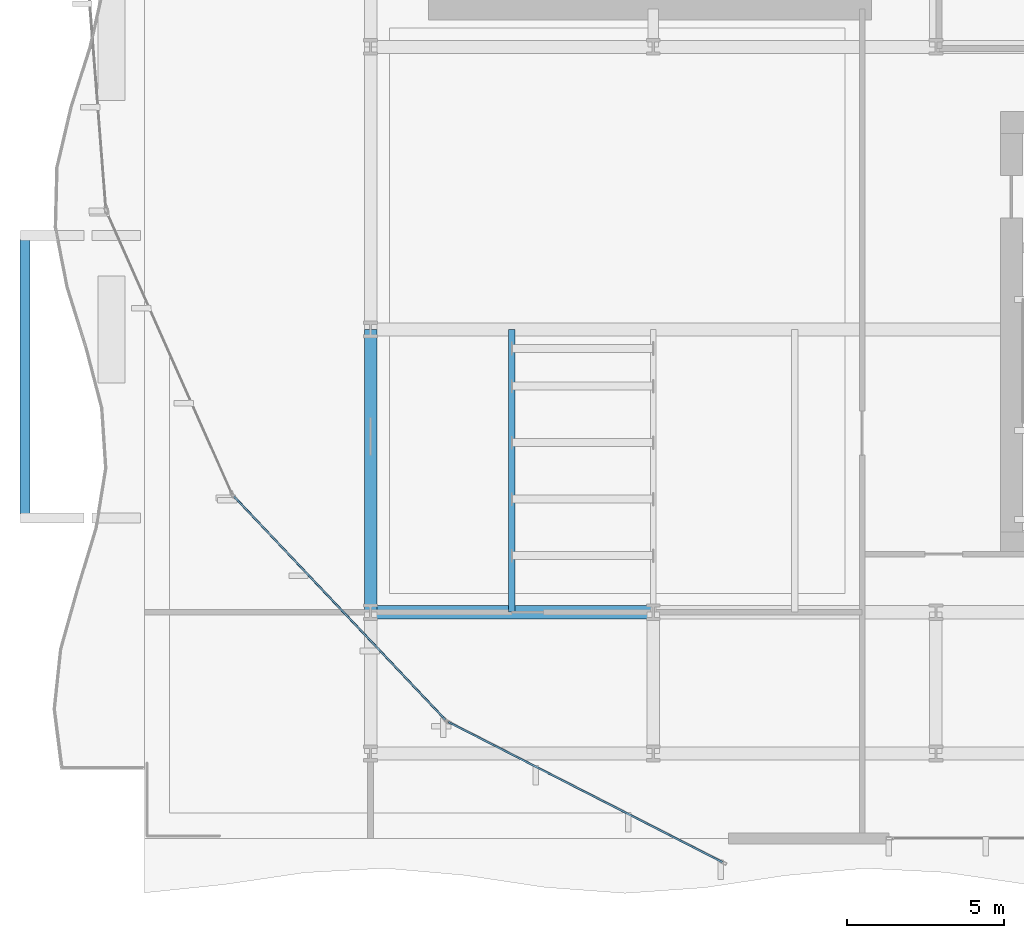
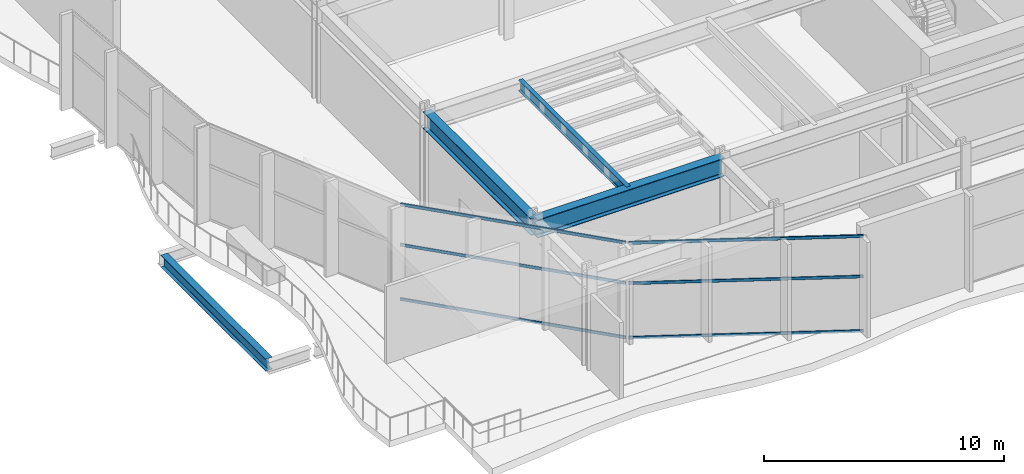
# One storey, part 3 of 33: 6 members, 4 beams, 2 elements without a shape of their own.
"""IFC4 building model written with IfcOpenShell, lengths in metres."""

import ifcopenshell
import ifcopenshell.guid

model = None  # the IFC model being written
_history = None  # IfcOwnerHistory: only IFC2X3 demands one
_inside = {}  # id of a spatial element -> (the spatial element, [elements in it])
_under = {}  # id of a project, library or spatial element -> (it, [spatial elements below it])
_declared = {}  # id of a project -> (the project, [libraries it declares])
_typed = {}  # id of a type object -> (the type object, [elements of that type])
_made_of = {}  # id of a material, layer set ... -> (it, [elements and type objects made of it])


def new_model(schema):
    """Start an empty IFC model of exactly this schema.

    Asked for "IFC4X3", IfcOpenShell would pick the latest addendum, in which some entities
    have other attributes; the version numbers below select the first issue.
    IFC2X3 requires an IfcOwnerHistory on every rooted entity: one is made here for all.
    """
    global model, _history
    if schema == "IFC4X3":
        model = ifcopenshell.file(schema_version=(4, 3, 0, 0))
    else:
        model = ifcopenshell.file(schema=schema)
    _inside.clear()
    _under.clear()
    _declared.clear()
    _typed.clear()
    _made_of.clear()
    _history = None
    if model.schema == "IFC2X3":
        org = make("IfcOrganization", Name="unknown")
        user = make(
            "IfcPersonAndOrganization",
            ThePerson=make("IfcPerson", FamilyName="unknown"),
            TheOrganization=org,
        )
        app = make(
            "IfcApplication",
            ApplicationDeveloper=org,
            Version="unknown",
            ApplicationFullName="unknown",
            ApplicationIdentifier="unknown",
        )
        _history = make(
            "IfcOwnerHistory",
            OwningUser=user,
            OwningApplication=app,
            ChangeAction="ADDED",
            CreationDate=0,
        )
    return model


def make(cls, **values):
    """One entity of the class cls with the attributes given. An attribute that is None is left unset."""
    return model.create_entity(
        cls, **{name: value for name, value in values.items() if value is not None}
    )


def rooted(cls, **values):
    """An entity with a GlobalId (a new one), such as an element, a storey or a relation."""
    return make(cls, GlobalId=ifcopenshell.guid.new(), OwnerHistory=_history, **values)


def si_unit(unit_type, name, prefix=None):
    """IfcSIUnit, for example si_unit("LENGTHUNIT", "METRE", prefix="MILLI")."""
    return make("IfcSIUnit", UnitType=unit_type, Prefix=prefix, Name=name)


def assignment(units):
    """IfcUnitAssignment: the units of a project."""
    return None if units is None else make("IfcUnitAssignment", Units=units)


def point(xyz):
    """IfcCartesianPoint."""
    return None if xyz is None else make("IfcCartesianPoint", Coordinates=xyz)


def direction(xyz):
    """IfcDirection."""
    return None if xyz is None else make("IfcDirection", DirectionRatios=xyz)


def frame(location, z_axis=None, x_axis=None):
    """IfcAxis2Placement3D, a coordinate frame: its origin and axes. An axis left out is left unset."""
    return make(
        "IfcAxis2Placement3D",
        Location=point(location),
        Axis=direction(z_axis),
        RefDirection=direction(x_axis),
    )


def frame_2d(location, x_axis=None):
    """IfcAxis2Placement2D, a coordinate frame in the plane: its origin and x axis."""
    return make(
        "IfcAxis2Placement2D", Location=point(location), RefDirection=direction(x_axis)
    )


def origin():
    """The frame at (0, 0, 0) with its axes left unset."""
    return frame((0.0, 0.0, 0.0))


def origin_2d():
    """The frame at (0, 0) in the plane with its x axis left unset."""
    return frame_2d((0.0, 0.0))


def place(relative_to, where):
    """IfcLocalPlacement: puts the frame where relative to a parent placement (None: the world)."""
    return make(
        "IfcLocalPlacement", PlacementRelTo=relative_to, RelativePlacement=where
    )


def context(
    kind, dimensions, precision=None, world=None, true_north=None, identifier=None
):
    """IfcGeometricRepresentationContext, for example the 3D "Model" context."""
    return make(
        "IfcGeometricRepresentationContext",
        ContextIdentifier=identifier,
        ContextType=kind,
        CoordinateSpaceDimension=dimensions,
        Precision=precision,
        WorldCoordinateSystem=world,
        TrueNorth=true_north,
    )


def subcontext(parent, identifier, kind, view, scale=None):
    """IfcGeometricRepresentationSubContext, for example "Body" below "Model"."""
    return make(
        "IfcGeometricRepresentationSubContext",
        ContextIdentifier=identifier,
        ContextType=kind,
        ParentContext=parent,
        TargetScale=scale,
        TargetView=view,
    )


def project(units=None, contexts=None):
    """IfcProject with its units and contexts."""
    return rooted(
        "IfcProject",
        Name="project",
        RepresentationContexts=contexts,
        UnitsInContext=assignment(units),
    )


def spatial(cls, under=None, at=None, **own):
    """A site, building, storey or space (cls), placed at a placement, below another one or the project."""
    s = rooted(cls, ObjectPlacement=at, **own)
    if under is not None:
        _under.setdefault(under.id(), (under, []))[1].append(s)
    return s


def profile(cls, at=None, kind="AREA", **sizes):
    """A parametric profile (cls). Its sizes go by their IFC names, for example OverallWidth=200.0."""
    return make(cls, ProfileType=kind, Position=at, **sizes)


def hollow_rectangle(**sizes):
    """IfcRectangleHollowProfileDef."""
    return profile("IfcRectangleHollowProfileDef", **sizes)


def i_section(**sizes):
    """IfcIShapeProfileDef."""
    return profile("IfcIShapeProfileDef", **sizes)


def extrude(swept, where, along, depth):
    """IfcExtrudedAreaSolid: the profile swept, set in the frame where, extruded along a direction by depth."""
    return make(
        "IfcExtrudedAreaSolid",
        SweptArea=swept,
        Position=where,
        ExtrudedDirection=direction(along),
        Depth=depth,
    )


def shape(context_of_items, identifier, shape_type, items):
    """IfcShapeRepresentation: the items that make up one representation, for example the "Body"."""
    return make(
        "IfcShapeRepresentation",
        ContextOfItems=context_of_items,
        RepresentationIdentifier=identifier,
        RepresentationType=shape_type,
        Items=items,
    )


def material(Name=None, Category=None):
    """IfcMaterial."""
    return make("IfcMaterial", Name=Name, Category=Category)


def layer(
    of_material, thickness, ventilated=None, Name=None, Category=None, Priority=None
):
    """IfcMaterialLayer: one layer of a wall or slab, of a material (None: an air gap)."""
    return make(
        "IfcMaterialLayer",
        Material=of_material,
        LayerThickness=thickness,
        IsVentilated=ventilated,
        Name=Name,
        Category=Category,
        Priority=Priority,
    )


def layer_set(layers, Name=None):
    """IfcMaterialLayerSet."""
    return make("IfcMaterialLayerSet", MaterialLayers=layers, LayerSetName=Name)


def material_profile(
    of_material, cross_section, Name=None, Category=None, Priority=None
):
    """IfcMaterialProfile: a cross section and its material."""
    return make(
        "IfcMaterialProfile",
        Name=Name,
        Material=of_material,
        Profile=cross_section,
        Priority=Priority,
        Category=Category,
    )


def profile_set(profiles, Name=None, composite=None):
    """IfcMaterialProfileSet."""
    return make(
        "IfcMaterialProfileSet",
        Name=Name,
        MaterialProfiles=profiles,
        CompositeProfile=composite,
    )


def made_of(thing, what):
    """Note that an element or type object is made of a material, layer set ...; save() writes the relation."""
    if what is not None:
        _made_of.setdefault(what.id(), (what, []))[1].append(thing)
    return thing


def type_object(cls, material=None, **own):
    """A type object (cls), such as IfcWallType, which elements share."""
    return made_of(rooted(cls, **own), material)


def element(
    cls,
    number,
    at=None,
    inside=None,
    cuts=None,
    type_object=None,
    material=None,
    context=None,
    identifier="Body",
    shape_type=None,
    held_by="IfcProductDefinitionShape",
    body=None,
    shapes=None,
    **own,
):
    """One element of the class cls, such as IfcWall. Its Tag is "e" and its number.

    at: its placement. inside: the storey or other place that contains it. cuts: it is an
    opening in that element (IfcRelVoidsElement). A single representation is given by context,
    identifier, shape_type and body (its items); several are given by shapes. held_by: the class
    of the entity that holds the representations. save() writes the other relations.
    """
    e = rooted(cls, Tag="e%d" % number, ObjectPlacement=at, **own)
    if body is not None:
        shapes = [shape(context, identifier, shape_type, body)]
    if shapes is not None:
        e.Representation = make(held_by, Representations=shapes)
    if inside is not None:
        _inside.setdefault(inside.id(), (inside, []))[1].append(e)
    if cuts is not None:
        rooted(
            "IfcRelVoidsElement", RelatingBuildingElement=cuts, RelatedOpeningElement=e
        )
    if type_object is not None:
        _typed.setdefault(type_object.id(), (type_object, []))[1].append(e)
    return made_of(e, material)


def aggregate(whole, parts):
    """IfcRelAggregates: a whole, such as a stair, and the parts it consists of."""
    return rooted("IfcRelAggregates", RelatingObject=whole, RelatedObjects=parts)


def save(model, path):
    """Write the relations noted so far, then the file.

    IfcRelAggregates (storeys below a building ...), IfcRelContainedInSpatialStructure (elements
    in a storey), IfcRelDefinesByType, IfcRelAssociatesMaterial and IfcRelDeclares: one each for
    every whole, place, type object, material and project.
    """
    for whole, parts in _under.values():
        aggregate(whole, parts)
    for where, things in _inside.values():
        rooted(
            "IfcRelContainedInSpatialStructure",
            RelatedElements=things,
            RelatingStructure=where,
        )
    for kind, things in _typed.values():
        rooted("IfcRelDefinesByType", RelatedObjects=things, RelatingType=kind)
    for what, things in _made_of.values():
        rooted("IfcRelAssociatesMaterial", RelatedObjects=things, RelatingMaterial=what)
    for by, libraries in _declared.values():
        rooted("IfcRelDeclares", RelatingContext=by, RelatedDefinitions=libraries)
    model.write(path)


model = new_model("IFC4")

# Units and contexts
model_context = context("Model", 3, precision=1e-05, world=origin(), true_north=direction((0.0, 1.0)))
body_context = subcontext(model_context, "Body", "Model", "MODEL_VIEW")
ifc_project = project(units=[si_unit("LENGTHUNIT", "METRE"), si_unit("AREAUNIT", "SQUARE_METRE"), si_unit("VOLUMEUNIT", "CUBIC_METRE"), si_unit("PLANEANGLEUNIT", "RADIAN"), si_unit("MASSUNIT", "GRAM", prefix="KILO")], contexts=[model_context])

# Site, building, storey
site_placement = place(None, origin())
site = spatial("IfcSite", under=ifc_project, at=site_placement, CompositionType="ELEMENT")
building_placement = place(site_placement, origin())
building = spatial("IfcBuilding", under=site, at=building_placement, Name="Solvaryn Broadcast Tower", CompositionType="ELEMENT")
storey_placement = place(building_placement, frame((0.0, 0.0, 5.800048828125)))
storey = spatial("IfcBuildingStorey", under=building, at=storey_placement, Name="L01", CompositionType="ELEMENT", Elevation=5.800048828125)

# Beams
ifc_material_1 = material(Name="Steel ASTM A992 Grade 50", Category="steel")
ifc_material_profile_1 = material_profile(ifc_material_1, i_section(OverallWidth=0.323974609375, OverallDepth=0.611083984375, WebThickness=0.0126953125, FlangeThickness=0.01904296875, FilletRadius=0.014892578125, at=origin_2d()))
ifc_profile_set_1 = profile_set([ifc_material_profile_1], Name="Steel ASTM A992 Grade 50")
beam_type_1 = type_object("IfcBeamType", Name="BM-B1-W24X104", PredefinedType="BEAM", material=ifc_profile_set_1)
beam_1_placement = place(storey_placement, frame((-2.0, 12.125, -0.62548828125), z_axis=(0.0, 1.0, 0.0), x_axis=(-1.0, 0.0, 0.0)))
element("IfcBeam", 1, at=beam_1_placement, inside=storey, type_object=beam_type_1, Name="L01 West Terrace Cross Tie Beam", PredefinedType="BEAM", context=body_context, shape_type="SweptSolid", body=[
    extrude(i_section(OverallWidth=0.323974609375, OverallDepth=0.611083984375, WebThickness=0.0126953125, FlangeThickness=0.01904296875, FilletRadius=0.014892578125, at=origin_2d()), origin(), (0.0, 0.0, 1.0), 8.75),
])
ifc_material_2 = material(Name="Steel ASTM A992 Grade 50", Category="steel")
ifc_material_profile_2 = material_profile(ifc_material_2, i_section(OverallWidth=0.208984375, OverallDepth=0.532958984375, WebThickness=0.01025390625, FlangeThickness=0.015625, FilletRadius=0.013916015625, at=origin_2d()))
ifc_profile_set_2 = profile_set([ifc_material_profile_2], Name="Steel ASTM A992 Grade 50")
beam_type_2 = type_object("IfcBeamType", Name="BM-B3-W21X62", PredefinedType="BEAM", material=ifc_profile_set_2)
beam_2_placement = place(storey_placement, frame((13.5, 9.0, 4.613525390625), z_axis=(0.0, 1.0, 0.0), x_axis=(-1.0, 0.0, 0.0)))
element("IfcBeam", 2, at=beam_2_placement, inside=storey, type_object=beam_type_2, Name="L01 Studio Rigging Beam 1", PredefinedType="BEAM", context=body_context, shape_type="SweptSolid", body=[
    extrude(i_section(OverallWidth=0.208984375, OverallDepth=0.532958984375, WebThickness=0.01025390625, FlangeThickness=0.015625, FilletRadius=0.013916015625, at=origin_2d()), origin(), (0.0, 0.0, 1.0), 9.0),
])
ifc_material_3 = material(Name="Steel ASTM A992 Grade 50", Category="steel")
ifc_material_profile_3 = material_profile(ifc_material_3, i_section(OverallWidth=0.41796875, OverallDepth=0.927001953125, WebThickness=0.019287109375, FlangeThickness=0.031982421875, FilletRadius=0.02392578125, at=origin_2d()))
ifc_profile_set_3 = profile_set([ifc_material_profile_3], Name="Steel ASTM A992 Grade 50")
beam_type_3 = type_object("IfcBeamType", Name="BM-G2-W36X231", PredefinedType="BEAM", material=ifc_profile_set_3)
beam_3_placement = place(storey_placement, frame((9.0, 9.0, 4.41650390625), z_axis=(1.0, 0.0, 0.0), x_axis=(0.0, 1.0, 0.0)))
element("IfcBeam", 3, at=beam_3_placement, inside=storey, type_object=beam_type_3, Name="L01 Primary Beam X (9-18 @ Y=9)", PredefinedType="BEAM", context=body_context, shape_type="SweptSolid", body=[
    extrude(i_section(OverallWidth=0.41796875, OverallDepth=0.927001953125, WebThickness=0.019287109375, FlangeThickness=0.031982421875, FilletRadius=0.02392578125, at=origin_2d()), origin(), (0.0, 0.0, 1.0), 9.0),
])
ifc_material_4 = material(Name="Steel ASTM A992 Grade 50", Category="steel")
ifc_material_profile_4 = material_profile(ifc_material_4, i_section(OverallWidth=0.39990234375, OverallDepth=0.85498046875, WebThickness=0.018310546875, FlangeThickness=0.029296875, FilletRadius=0.02001953125, at=origin_2d()))
ifc_profile_set_4 = profile_set([ifc_material_profile_4], Name="Steel ASTM A992 Grade 50")
beam_type_4 = type_object("IfcBeamType", Name="BM-G3-W33X201", PredefinedType="BEAM", material=ifc_profile_set_4)
beam_4_placement = place(storey_placement, frame((9.0, 9.0, 4.452392578125), z_axis=(0.0, 1.0, 0.0), x_axis=(-1.0, 0.0, 0.0)))
element("IfcBeam", 4, at=beam_4_placement, inside=storey, type_object=beam_type_4, Name="L01 Primary Beam Y (9-18 @ X=9)", PredefinedType="BEAM", context=body_context, shape_type="SweptSolid", body=[
    extrude(i_section(OverallWidth=0.39990234375, OverallDepth=0.85498046875, WebThickness=0.018310546875, FlangeThickness=0.029296875, FilletRadius=0.02001953125, at=origin_2d()), origin(), (0.0, 0.0, 1.0), 9.0),
])

# Curtain wall, members
ifc_material_5 = material(Name="Aluminium and Terracotta Unitised Curtain Wall", Category="masonry")
ifc_layer = layer(ifc_material_5, 0.219970703125)
ifc_layer_set = layer_set([ifc_layer], Name="CW-SYS1-PODIUM")
curtain_wall_type = type_object("IfcCurtainWallType", Name="CW-SYS1-PODIUM", PredefinedType="NOTDEFINED", material=ifc_layer_set)
curtain_wall_1_placement = place(storey_placement, origin())
curtain_wall_1 = element("IfcCurtainWall", 5, at=curtain_wall_1_placement, inside=storey, type_object=curtain_wall_type, Name="L01 Podium Curtain Wall DC3", PredefinedType="NOTDEFINED")
ifc_material_6 = material(Name="Anodised Aluminium 6063-T6", Category="aluminium")
ifc_material_profile_5 = material_profile(ifc_material_6, hollow_rectangle(XDim=0.06494140625, YDim=0.14990234375, WallThickness=0.00390625, InnerFilletRadius=0.00390625, OuterFilletRadius=0.008056640625, at=origin_2d()))
ifc_profile_set_5 = profile_set([ifc_material_profile_5], Name="Anodised Aluminium 6063-T6")
member_type = type_object("IfcMemberType", Name="CW-TRN-150", PredefinedType="USERDEFINED", material=ifc_profile_set_5)
member_1_placement = place(storey_placement, frame((4.647216796875, 12.689453125, 0.030029296875), z_axis=(0.687532442818, -0.726153661474, 0.0), x_axis=(0.726153661474, 0.687532442818, 0.0)))
member_1 = element("IfcMember", 6, at=member_1_placement, type_object=member_type, Name="CWS1 transom 1.1", ObjectType="TRANSOM", PredefinedType="USERDEFINED", context=body_context, shape_type="SweptSolid", body=[
    extrude(hollow_rectangle(XDim=0.06494140625, YDim=0.14990234375, WallThickness=0.00390625, InnerFilletRadius=0.00390625, OuterFilletRadius=0.008056640625, at=origin_2d()), origin(), (0.0, 0.0, 1.0), 9.798095703125),
])
member_2_placement = place(storey_placement, frame((4.647216796875, 12.689453125, 2.800048828125), z_axis=(0.687532442818, -0.726153661474, 0.0), x_axis=(0.726153661474, 0.687532442818, 0.0)))
member_2 = element("IfcMember", 7, at=member_2_placement, type_object=member_type, Name="CWS1 transom 1.2", ObjectType="TRANSOM", PredefinedType="USERDEFINED", context=body_context, shape_type="SweptSolid", body=[
    extrude(hollow_rectangle(XDim=0.06494140625, YDim=0.14990234375, WallThickness=0.00390625, InnerFilletRadius=0.00390625, OuterFilletRadius=0.008056640625, at=origin_2d()), origin(), (0.0, 0.0, 1.0), 9.798095703125),
])
member_3_placement = place(storey_placement, frame((4.647216796875, 12.689453125, 4.849853515625), z_axis=(0.687532442818, -0.726153661474, 0.0), x_axis=(0.726153661474, 0.687532442818, 0.0)))
member_3 = element("IfcMember", 8, at=member_3_placement, type_object=member_type, Name="CWS1 transom 1.3", ObjectType="TRANSOM", PredefinedType="USERDEFINED", context=body_context, shape_type="SweptSolid", body=[
    extrude(hollow_rectangle(XDim=0.06494140625, YDim=0.14990234375, WallThickness=0.00390625, InnerFilletRadius=0.00390625, OuterFilletRadius=0.008056640625, at=origin_2d()), origin(), (0.0, 0.0, 1.0), 9.798095703125),
])
aggregate(curtain_wall_1, [member_1, member_2, member_3])

curtain_wall_2_placement = place(storey_placement, origin())
curtain_wall_2 = element("IfcCurtainWall", 9, at=curtain_wall_2_placement, inside=storey, type_object=curtain_wall_type, Name="L01 Podium Curtain Wall DC4", PredefinedType="NOTDEFINED")
member_4_placement = place(storey_placement, frame((11.478515625, 5.503662109375, 0.030029296875), z_axis=(0.890313476303, -0.455348123872, 0.0), x_axis=(0.455348123872, 0.890313476303, 0.0)))
member_4 = element("IfcMember", 10, at=member_4_placement, type_object=member_type, Name="CWS1 transom 1.1", ObjectType="TRANSOM", PredefinedType="USERDEFINED", context=body_context, shape_type="SweptSolid", body=[
    extrude(hollow_rectangle(XDim=0.06494140625, YDim=0.14990234375, WallThickness=0.00390625, InnerFilletRadius=0.00390625, OuterFilletRadius=0.008056640625, at=origin_2d()), origin(), (0.0, 0.0, 1.0), 9.7978515625),
])
member_5_placement = place(storey_placement, frame((11.478515625, 5.503662109375, 2.800048828125), z_axis=(0.890313476303, -0.455348123872, 0.0), x_axis=(0.455348123872, 0.890313476303, 0.0)))
member_5 = element("IfcMember", 11, at=member_5_placement, type_object=member_type, Name="CWS1 transom 1.2", ObjectType="TRANSOM", PredefinedType="USERDEFINED", context=body_context, shape_type="SweptSolid", body=[
    extrude(hollow_rectangle(XDim=0.06494140625, YDim=0.14990234375, WallThickness=0.00390625, InnerFilletRadius=0.00390625, OuterFilletRadius=0.008056640625, at=origin_2d()), origin(), (0.0, 0.0, 1.0), 9.7978515625),
])
member_6_placement = place(storey_placement, frame((11.478515625, 5.503662109375, 4.849853515625), z_axis=(0.890313476303, -0.455348123872, 0.0), x_axis=(0.455348123872, 0.890313476303, 0.0)))
member_6 = element("IfcMember", 12, at=member_6_placement, type_object=member_type, Name="CWS1 transom 1.3", ObjectType="TRANSOM", PredefinedType="USERDEFINED", context=body_context, shape_type="SweptSolid", body=[
    extrude(hollow_rectangle(XDim=0.06494140625, YDim=0.14990234375, WallThickness=0.00390625, InnerFilletRadius=0.00390625, OuterFilletRadius=0.008056640625, at=origin_2d()), origin(), (0.0, 0.0, 1.0), 9.7978515625),
])
aggregate(curtain_wall_2, [member_4, member_5, member_6])

save(model, "model.ifc")
